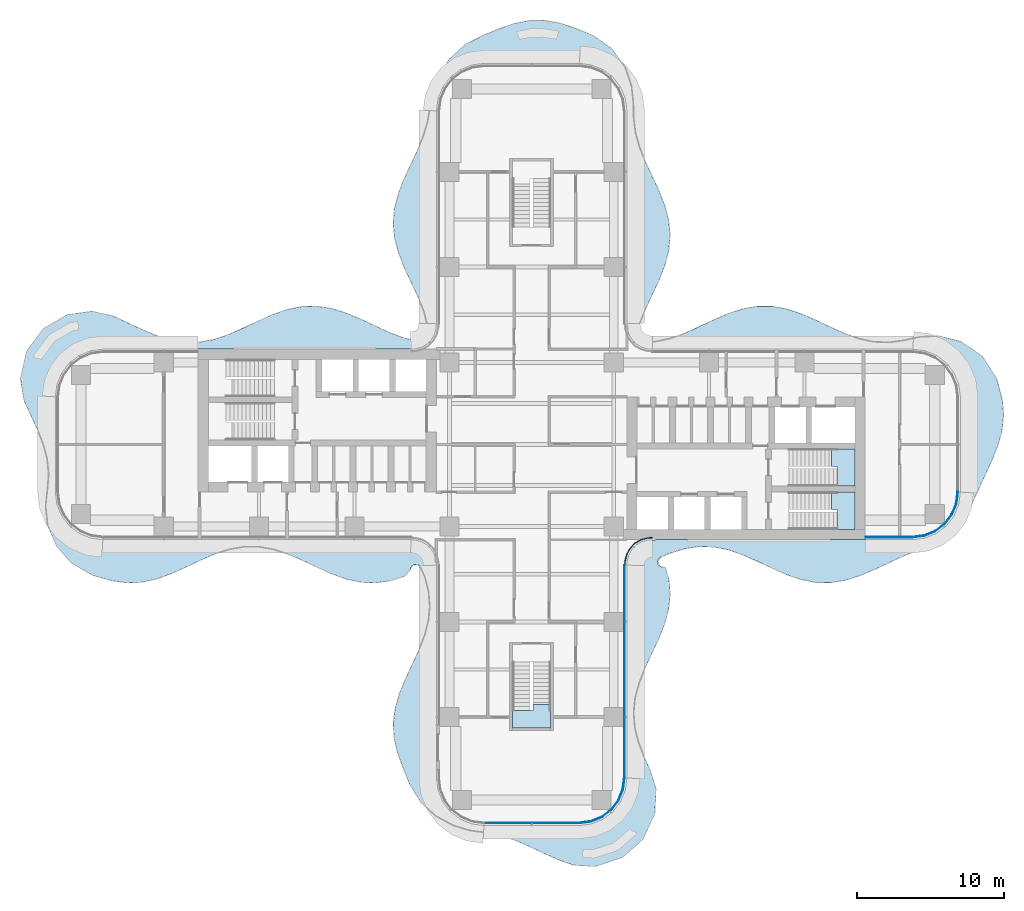
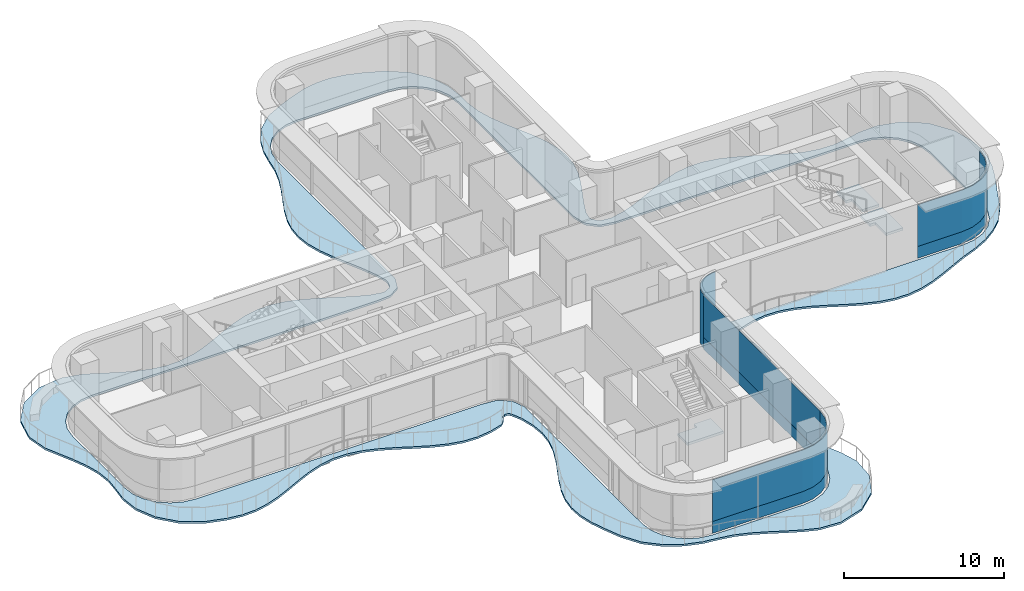
# One storey, part 14 of 21: 7 plates, 4 slabs, 7 elements without a shape of their own.
"""IFC4 building model written with IfcOpenShell, lengths in metres."""

from ifc_helpers import new_model, si_unit, direction, frame, origin, place, context, subcontext, project, spatial, polyline, outline, extrude, source, transform, mapped, material, layer, layer_set, type_object, element, aggregate, save


model = new_model("IFC4")

# Units and contexts
model_context = context("Model", 3, precision=1e-05, world=origin(), true_north=direction((0.0, 1.0)))
body_context = subcontext(model_context, "Body", "Model", "MODEL_VIEW")
ifc_project = project(units=[si_unit("LENGTHUNIT", "METRE"), si_unit("AREAUNIT", "SQUARE_METRE"), si_unit("VOLUMEUNIT", "CUBIC_METRE"), si_unit("PLANEANGLEUNIT", "RADIAN"), si_unit("MASSUNIT", "GRAM", prefix="KILO")], contexts=[model_context])

# Site, building, storey
site_placement = place(None, origin())
site = spatial("IfcSite", under=ifc_project, at=site_placement, CompositionType="ELEMENT")
building_placement = place(site_placement, origin())
building = spatial("IfcBuilding", under=site, at=building_placement, Name="Trellis Farm Tower", CompositionType="ELEMENT")
storey_placement = place(building_placement, frame((0.0, 0.0, 147.0)))
storey = spatial("IfcBuildingStorey", under=building, at=storey_placement, Name="L31", CompositionType="ELEMENT", Elevation=147.0)

# Slab
ifc_material_1 = material(Name="Concrete C40/50", Category="concrete")
ifc_layer_1 = layer(ifc_material_1, 0.14990234375)
ifc_layer_set_1 = layer_set([ifc_layer_1], Name="Balcony slab 150")
slab_type_1 = type_object("IfcSlabType", Name="Balcony slab 150", PredefinedType="FLOOR", material=ifc_layer_set_1)
slab_1_placement = place(storey_placement, frame((0.0, 0.0, -0.14990234375)))
element("IfcSlab", 1, at=slab_1_placement, inside=storey, type_object=slab_type_1, Name="Balcony slab", PredefinedType="FLOOR", context=body_context, shape_type="SweptSolid", body=[
    extrude(outline(polyline([(-7.864501953125, -8.17578125), (-7.994873046875, -8.183837890625), (-8.0283203125, -8.1943359375), (-8.14013671875, -8.26171875), (-8.165283203125, -8.286376953125), (-8.23779296875, -8.405517578125), (-8.245361328125, -8.421875), (-8.2861328125, -8.550537109375), (-8.29931640625, -8.580322265625), (-8.3203125, -8.616455078125), (-8.33935546875, -8.642578125), (-8.635498046875, -8.96630859375), (-8.66650390625, -8.9921875), (-8.7099609375, -9.019287109375), (-8.7470703125, -9.035888671875), (-9.65478515625, -9.303466796875), (-9.6767578125, -9.30810546875), (-10.646484375, -9.4404296875), (-10.673095703125, -9.441650390625), (-11.64453125, -9.400390625), (-11.669921875, -9.397216796875), (-12.648193359375, -9.185791015625), (-12.6669921875, -9.180419921875), (-13.654052734375, -8.82666015625), (-13.664794921875, -8.822265625), (-14.65966796875, -8.375), (-14.66259765625, -8.373779296875), (-15.6640625, -7.898193359375), (-15.66650390625, -7.897216796875), (-16.638427734375, -7.4775390625), (-16.644775390625, -7.47509765625), (-17.62451171875, -7.15380859375), (-17.634521484375, -7.1513671875), (-18.61328125, -6.977294921875), (-18.626220703125, -6.976318359375), (-19.609619140625, -6.974365234375), (-19.622802734375, -6.9755859375), (-20.6142578125, -7.14892578125), (-20.62451171875, -7.151611328125), (-21.62255859375, -7.478759765625), (-21.62890625, -7.481201171875), (-22.631103515625, -7.9150390625), (-22.63330078125, -7.916259765625), (-23.634765625, -8.39208984375), (-23.637939453125, -8.393310546875), (-24.632568359375, -8.838134765625), (-24.643310546875, -8.842529296875), (-25.60791015625, -9.185302734375), (-25.626953125, -9.19091796875), (-26.597900390625, -9.3984375), (-26.623291015625, -9.401611328125), (-27.593017578125, -9.44140625), (-27.61962890625, -9.43994140625), (-28.59716796875, -9.304931640625), (-28.6171875, -9.30078125), (-29.939697265625, -8.927978515625), (-29.97412109375, -8.91357421875), (-31.363037109375, -8.1123046875), (-31.400634765625, -8.081298828125), (-32.412841796875, -6.93359375), (-32.438232421875, -6.893310546875), (-33.01611328125, -5.54638671875), (-33.027587890625, -5.502197265625), (-33.160888671875, -4.18017578125), (-33.16064453125, -4.148193359375), (-33.029541015625, -2.989990234375), (-33.029296875, -2.987548828125), (-32.953369140625, -2.03173828125), (-32.95361328125, -2.0185546875), (-33.05712890625, -0.975830078125), (-33.059326171875, -0.9638671875), (-33.322509765625, 0.0146484375), (-33.3251953125, 0.022705078125), (-33.704345703125, 0.985107421875), (-33.7060546875, 0.989013671875), (-34.62158203125, 2.97021484375), (-34.63330078125, 3.0078125), (-34.882080078125, 4.470703125), (-34.88427734375, 4.50048828125), (-34.883056640625, 4.5380859375), (-34.87939453125, 4.567138671875), (-34.47802734375, 6.307373046875), (-34.468017578125, 6.3369140625), (-34.450927734375, 6.373291015625), (-34.43505859375, 6.39990234375), (-33.33837890625, 7.867431640625), (-33.318115234375, 7.8896484375), (-33.2890625, 7.91552734375), (-33.2646484375, 7.93310546875), (-31.71435546875, 8.8359375), (-31.687255859375, 8.848388671875), (-31.65087890625, 8.860595703125), (-31.622314453125, 8.867431640625), (-30.0029296875, 9.08203125), (-29.976806640625, 9.0830078125), (-29.94287109375, 9.081787109375), (-29.91650390625, 9.078125), (-28.617919921875, 8.7861328125), (-28.587646484375, 8.77587890625), (-26.632568359375, 7.8681640625), (-26.63037109375, 7.8671875), (-25.615478515625, 7.4365234375), (-25.608642578125, 7.43408203125), (-24.660888671875, 7.134521484375), (-24.650390625, 7.132080078125), (-23.671630859375, 6.970703125), (-23.658447265625, 6.9697265625), (-22.6748046875, 6.981689453125), (-22.66162109375, 6.98291015625), (-21.623046875, 7.181640625), (-21.61279296875, 7.184326171875), (-20.633056640625, 7.52001953125), (-20.627197265625, 7.5224609375), (-19.652587890625, 7.951416015625), (-19.650634765625, 7.952392578125), (-18.654052734375, 8.42626953125), (-18.650390625, 8.427978515625), (-17.665771484375, 8.864013671875), (-17.654052734375, 8.86865234375), (-16.67724609375, 9.207275390625), (-16.65771484375, 9.212646484375), (-15.68701171875, 9.407958984375), (-15.66162109375, 9.410888671875), (-14.691650390625, 9.43701171875), (-14.6650390625, 9.435546875), (-13.689697265625, 9.28759765625), (-13.66796875, 9.28271484375), (-12.684326171875, 8.97900390625), (-12.67041015625, 8.973876953125), (-11.67138671875, 8.552490234375), (-11.666259765625, 8.55029296875), (-9.6923828125, 7.63232421875), (-9.68701171875, 7.630126953125), (-8.71240234375, 7.26513671875), (-8.70166015625, 7.26220703125), (-7.976806640625, 7.109619140625), (-7.951171875, 7.10888671875), (-7.74658203125, 7.136962890625), (-7.722900390625, 7.144287109375), (-7.381103515625, 7.320068359375), (-7.3671875, 7.3291015625), (-7.2685546875, 7.411376953125), (-7.248779296875, 7.43701171875), (-7.19482421875, 7.5537109375), (-7.189697265625, 7.569091796875), (-7.094482421875, 8.00830078125), (-7.093017578125, 8.026611328125), (-7.098388671875, 8.1796875), (-7.101318359375, 8.197998046875), (-7.33642578125, 9.009521484375), (-7.339111328125, 9.0166015625), (-7.746337890625, 10.03369140625), (-7.747802734375, 10.037353515625), (-8.674072265625, 12.02099609375), (-8.677490234375, 12.029296875), (-9.0703125, 13.018798828125), (-9.07568359375, 13.03515625), (-9.340576171875, 14.016357421875), (-9.344970703125, 14.039794921875), (-9.446533203125, 15.01318359375), (-9.447021484375, 15.040283203125), (-9.373779296875, 16.009765625), (-9.3701171875, 16.033935546875), (-9.138916015625, 16.9853515625), (-9.133544921875, 17.0029296875), (-8.757080078125, 18.001708984375), (-8.752685546875, 18.01220703125), (-7.83349609375, 19.98681640625), (-7.832275390625, 19.98974609375), (-7.40771484375, 21.005615234375), (-7.4052734375, 21.0126953125), (-7.1044921875, 22.00634765625), (-7.102294921875, 22.01513671875), (-6.925537109375, 23.0380859375), (-6.924560546875, 23.043212890625), (-6.70068359375, 24.110595703125), (-6.694580078125, 24.1318359375), (-6.30419921875, 25.18994140625), (-6.290771484375, 25.2177734375), (-5.619140625, 26.290283203125), (-5.593017578125, 26.322021484375), (-4.49951171875, 27.314697265625), (-4.46484375, 27.33837890625), (-3.192138671875, 27.962646484375), (-3.182861328125, 27.966796875), (-2.133056640625, 28.396240234375), (-2.1240234375, 28.399658203125), (-1.14794921875, 28.728271484375), (-1.1279296875, 28.7333984375), (-0.157470703125, 28.91650390625), (-0.131591796875, 28.919189453125), (0.83837890625, 28.931884765625), (0.86474609375, 28.929931640625), (1.8408203125, 28.769287109375), (1.862060546875, 28.76416015625), (2.861328125, 28.4443359375), (2.87255859375, 28.440185546875), (4.167724609375, 27.908447265625), (4.197265625, 27.892333984375), (5.462646484375, 26.9990234375), (5.498046875, 26.964111328125), (6.36962890625, 25.75146484375), (6.389892578125, 25.7119140625), (6.80224609375, 24.4892578125), (6.80908203125, 24.4580078125), (6.935546875, 23.322265625), (6.936279296875, 23.30859375), (6.95654296875, 22.2333984375), (6.95703125, 22.22509765625), (7.088134765625, 21.231201171875), (7.09033203125, 21.22021484375), (7.37548828125, 20.2412109375), (7.378173828125, 20.23388671875), (7.780517578125, 19.25146484375), (7.78173828125, 19.248291015625), (8.70361328125, 17.2734375), (8.707275390625, 17.2646484375), (9.08984375, 16.284912109375), (9.09521484375, 16.268310546875), (9.35009765625, 15.2958984375), (9.354248046875, 15.272216796875), (9.447265625, 14.302978515625), (9.447265625, 14.275634765625), (9.361083984375, 13.275146484375), (9.356689453125, 13.2509765625), (9.10791015625, 12.27880859375), (9.1025390625, 12.261962890625), (8.72412109375, 11.28271484375), (8.72021484375, 11.273193359375), (7.798095703125, 9.296875), (7.796875, 9.2939453125), (7.37890625, 8.288818359375), (7.37451171875, 8.2744140625), (7.279296875, 7.781982421875), (7.27783203125, 7.76708984375), (7.279296875, 7.648681640625), (7.285888671875, 7.619384765625), (7.333984375, 7.51123046875), (7.34130859375, 7.498046875), (7.541015625, 7.2197265625), (7.551513671875, 7.2080078125), (7.641845703125, 7.12548828125), (7.668701171875, 7.110107421875), (7.784912109375, 7.07177734375), (7.80029296875, 7.068603515625), (8.365234375, 7.007568359375), (8.377197265625, 7.00732421875), (8.477783203125, 7.0126953125), (8.489990234375, 7.014404296875), (9.435546875, 7.225341796875), (9.44482421875, 7.227783203125), (10.425537109375, 7.582275390625), (10.430908203125, 7.58447265625), (11.415283203125, 8.027587890625), (11.416748046875, 8.028076171875), (12.409912109375, 8.5), (12.414794921875, 8.502197265625), (13.392578125, 8.92431640625), (13.405517578125, 8.92919921875), (14.381103515625, 9.248291015625), (14.40185546875, 9.253662109375), (15.371826171875, 9.424072265625), (15.398193359375, 9.42626953125), (16.398681640625, 9.4228515625), (16.42529296875, 9.42041015625), (17.395263671875, 9.24365234375), (17.41552734375, 9.238525390625), (18.376953125, 8.919921875), (18.389404296875, 8.9150390625), (19.382568359375, 8.484130859375), (19.38720703125, 8.482177734375), (20.38720703125, 8.0068359375), (20.388916015625, 8.006103515625), (21.3916015625, 7.558349609375), (21.397216796875, 7.55615234375), (22.351806640625, 7.216796875), (22.361083984375, 7.214111328125), (23.33935546875, 7.00341796875), (23.352294921875, 7.001708984375), (24.396240234375, 6.962158203125), (24.40966796875, 6.962890625), (25.37890625, 7.1005859375), (25.384521484375, 7.1015625), (26.482177734375, 7.33984375), (26.507080078125, 7.34326171875), (27.76953125, 7.40234375), (27.8134765625, 7.39794921875), (29.24951171875, 7.033935546875), (29.296630859375, 7.012939453125), (30.67333984375, 6.084716796875), (30.6962890625, 6.065673828125), (30.722412109375, 6.039306640625), (30.740966796875, 6.01611328125), (31.71044921875, 4.528564453125), (31.729736328125, 4.485107421875), (32.1123046875, 3.044189453125), (32.116943359375, 3.017822265625), (32.197509765625, 2.022705078125), (32.197021484375, 1.995849609375), (32.09716796875, 0.995361328125), (32.0927734375, 0.9716796875), (31.83251953125, -0.001220703125), (31.826904296875, -0.017333984375), (31.440185546875, -0.997802734375), (31.43701171875, -1.00537109375), (29.98681640625, -4.163330078125), (29.974365234375, -4.185546875), (29.279052734375, -5.19921875), (29.259033203125, -5.222900390625), (28.441162109375, -6.006103515625), (28.423583984375, -6.0205078125), (27.50927734375, -6.664794921875), (27.489501953125, -6.676513671875), (26.47265625, -7.18115234375), (26.460205078125, -7.1865234375), (25.36181640625, -7.613037109375), (25.357421875, -7.614990234375), (23.38037109375, -8.53271484375), (23.3759765625, -8.534912109375), (22.392578125, -8.95361328125), (22.379150390625, -8.95849609375), (21.404296875, -9.267578125), (21.382568359375, -9.272705078125), (20.382080078125, -9.432861328125), (20.35546875, -9.4345703125), (19.385498046875, -9.415283203125), (19.360107421875, -9.412353515625), (18.389404296875, -9.22314453125), (18.36962890625, -9.218017578125), (17.39306640625, -8.8837890625), (17.381103515625, -8.87939453125), (16.4013671875, -8.447998046875), (16.3974609375, -8.4462890625), (15.396728515625, -7.970458984375), (15.394775390625, -7.969482421875), (14.392333984375, -7.527099609375), (14.386474609375, -7.524658203125), (13.43359375, -7.19482421875), (13.424072265625, -7.1923828125), (12.445556640625, -6.99365234375), (12.432861328125, -6.9921875), (11.450439453125, -6.963134765625), (11.437255859375, -6.9638671875), (10.447265625, -7.111083984375), (10.43603515625, -7.11376953125), (9.406005859375, -7.431884765625), (9.3984375, -7.4345703125), (8.809814453125, -7.687255859375), (8.79248046875, -7.69775390625), (8.67041015625, -7.795654296875), (8.6474609375, -7.82763671875), (8.596923828125, -7.965087890625), (8.59375, -8.004150390625), (8.62109375, -8.14794921875), (8.638427734375, -8.18310546875), (8.736083984375, -8.292236328125), (8.769287109375, -8.313720703125), (8.918701171875, -8.35986328125), (8.938720703125, -8.363037109375), (9.032470703125, -8.36572265625), (9.12158203125, -8.3984375), (9.17333984375, -8.478271484375), (9.375, -9.260009765625), (9.37939453125, -9.287109375), (9.4462890625, -10.2568359375), (9.44580078125, -10.283935546875), (9.33740234375, -11.25732421875), (9.3330078125, -11.28076171875), (9.05615234375, -12.28076171875), (9.05078125, -12.296630859375), (8.656494140625, -13.27734375), (8.6533203125, -13.284912109375), (7.731201171875, -15.25927734375), (7.7294921875, -15.26318359375), (7.338134765625, -16.244873046875), (7.33544921875, -16.253173828125), (7.056396484375, -17.285888671875), (7.05419921875, -17.2978515625), (6.953857421875, -18.285888671875), (6.95361328125, -18.29931640625), (7.030029296875, -19.280029296875), (7.031982421875, -19.2919921875), (7.259521484375, -20.2294921875), (7.26220703125, -20.238037109375), (7.63720703125, -21.238037109375), (7.63916015625, -21.24267578125), (8.098388671875, -22.25048828125), (8.10546875, -22.268798828125), (8.475341796875, -23.469482421875), (8.480712890625, -23.4951171875), (8.485107421875, -23.52880859375), (8.48583984375, -23.55517578125), (8.4033203125, -25.183837890625), (8.39892578125, -25.212646484375), (8.389892578125, -25.2490234375), (8.380126953125, -25.276611328125), (7.627197265625, -26.882568359375), (7.611328125, -26.908935546875), (7.587646484375, -26.940673828125), (7.566650390625, -26.96337890625), (6.194580078125, -28.16943359375), (6.16943359375, -28.1875), (6.134765625, -28.20703125), (6.1064453125, -28.21923828125), (4.3505859375, -28.77978515625), (4.3232421875, -28.785888671875), (4.287841796875, -28.790283203125), (4.25927734375, -28.791015625), (2.8583984375, -28.697021484375), (2.81884765625, -28.68896484375), (1.86328125, -28.35302734375), (1.85205078125, -28.348388671875), (0.866943359375, -27.909912109375), (0.863525390625, -27.908203125), (-0.1337890625, -27.43408203125), (-0.1357421875, -27.43310546875), (-1.109619140625, -27.00732421875), (-1.115478515625, -27.0048828125), (-2.0947265625, -26.67431640625), (-2.10498046875, -26.67138671875), (-3.12744140625, -26.479736328125), (-3.13134765625, -26.479248046875), (-4.206787109375, -26.33642578125), (-4.230712890625, -26.331298828125), (-5.33349609375, -25.997314453125), (-5.361083984375, -25.985595703125), (-6.497314453125, -25.3740234375), (-6.526123046875, -25.353759765625), (-7.5166015625, -24.468017578125), (-7.544189453125, -24.435302734375), (-8.31103515625, -23.197509765625), (-8.322509765625, -23.175048828125), (-8.80419921875, -21.99462890625), (-8.80615234375, -21.989501953125), (-9.162841796875, -21.01171875), (-9.168212890625, -20.993408203125), (-9.3876953125, -20.02197265625), (-9.391357421875, -19.997314453125), (-9.4443359375, -19.027587890625), (-9.443359375, -19.000732421875), (-9.322021484375, -18.026611328125), (-9.317138671875, -18.00390625), (-9.035400390625, -17.021484375), (-9.030029296875, -17.006103515625), (-8.622314453125, -16.007080078125), (-8.619384765625, -16.00048828125), (-7.689208984375, -14.00634765625), (-7.687255859375, -14.001708984375), (-7.2998046875, -13.001708984375), (-7.297119140625, -12.9931640625), (-7.042236328125, -11.997802734375), (-7.040283203125, -11.986328125), (-6.95361328125, -11.0615234375), (-6.95361328125, -11.048583984375), (-7.03369140625, -10.061279296875), (-7.03564453125, -10.04931640625), (-7.28125, -9.06689453125), (-7.285400390625, -9.05419921875), (-7.5869140625, -8.382080078125), (-7.596435546875, -8.3662109375), (-7.682861328125, -8.257080078125), (-7.710693359375, -8.2353515625), (-7.829833984375, -8.18212890625), (-7.864501953125, -8.17578125)]), holes=[polyline([(-7.642578125, -6.6201171875), (-6.938232421875, -7.076171875), (-6.903564453125, -7.107177734375), (-6.8671875, -7.151611328125), (-6.84375, -7.191650390625), (-6.529541015625, -7.9912109375), (-6.52197265625, -8.01708984375), (-6.51513671875, -8.0517578125), (-6.512451171875, -8.07861328125), (-6.50048828125, -8.98486328125), (-6.50048828125, -22.75), (-6.389892578125, -23.59130859375), (-6.065185546875, -24.375244140625), (-5.548583984375, -25.048583984375), (-4.875244140625, -25.565185546875), (-4.09130859375, -25.889892578125), (-3.25, -26.00048828125), (3.25, -26.00048828125), (4.09130859375, -25.889892578125), (4.875244140625, -25.565185546875), (5.548583984375, -25.048583984375), (6.065185546875, -24.375244140625), (6.389892578125, -23.59130859375), (6.50048828125, -22.75), (6.50048828125, -8.326416015625), (6.504150390625, -8.29638671875), (6.718017578125, -7.40869140625), (6.734375, -7.367919921875), (6.761474609375, -7.32177734375), (6.78857421875, -7.2880859375), (7.39697265625, -6.719970703125), (7.432373046875, -6.6953125), (7.48046875, -6.67138671875), (7.521728515625, -6.657958984375), (8.4248046875, -6.502197265625), (8.443115234375, -6.50048828125), (26.0, -6.50048828125), (26.84130859375, -6.389892578125), (27.625244140625, -6.065185546875), (28.298583984375, -5.548583984375), (28.815185546875, -4.875244140625), (29.139892578125, -4.09130859375), (29.25048828125, -3.25), (29.25048828125, 3.25), (29.139892578125, 4.09130859375), (28.815185546875, 4.875244140625), (28.298583984375, 5.548583984375), (27.625244140625, 6.065185546875), (26.84130859375, 6.389892578125), (26.0, 6.50048828125), (8.443115234375, 6.50048828125), (8.4248046875, 6.502197265625), (7.521728515625, 6.657958984375), (7.48046875, 6.67138671875), (7.432373046875, 6.6953125), (7.39697265625, 6.719970703125), (6.78857421875, 7.2880859375), (6.761474609375, 7.32177734375), (6.734375, 7.367919921875), (6.718017578125, 7.40869140625), (6.504150390625, 8.29638671875), (6.50048828125, 8.326416015625), (6.50048828125, 22.75), (6.389892578125, 23.59130859375), (6.065185546875, 24.375244140625), (5.548583984375, 25.048583984375), (4.875244140625, 25.565185546875), (4.09130859375, 25.889892578125), (3.25, 26.00048828125), (-3.25, 26.00048828125), (-4.09130859375, 25.889892578125), (-4.875244140625, 25.565185546875), (-5.548583984375, 25.048583984375), (-6.065185546875, 24.375244140625), (-6.389892578125, 23.59130859375), (-6.50048828125, 22.75), (-6.50048828125, 8.98486328125), (-6.512451171875, 8.07861328125), (-6.51513671875, 8.0517578125), (-6.52197265625, 8.01708984375), (-6.529541015625, 7.9912109375), (-6.84375, 7.191650390625), (-6.8671875, 7.151611328125), (-6.903564453125, 7.107177734375), (-6.938232421875, 7.076171875), (-7.642578125, 6.6201171875), (-7.67529296875, 6.604248046875), (-7.718994140625, 6.589111328125), (-7.7548828125, 6.58154296875), (-8.682373046875, 6.50048828125), (-29.25, 6.50048828125), (-30.09130859375, 6.389892578125), (-30.875244140625, 6.065185546875), (-31.548583984375, 5.548583984375), (-32.065185546875, 4.875244140625), (-32.389892578125, 4.09130859375), (-32.50048828125, 3.25), (-32.50048828125, -3.25), (-32.389892578125, -4.09130859375), (-32.065185546875, -4.875244140625), (-31.548583984375, -5.548583984375), (-30.875244140625, -6.065185546875), (-30.09130859375, -6.389892578125), (-29.25, -6.50048828125), (-8.682373046875, -6.50048828125), (-7.7548828125, -6.58154296875), (-7.718994140625, -6.589111328125), (-7.67529296875, -6.604248046875), (-7.642578125, -6.6201171875)])]), origin(), (0.0, 0.0, 1.0), 0.14990234375),
])

# Stair, slab
ifc_material_2 = material(Name="Concrete C50/60", Category="concrete")
stair_type = type_object("IfcStairType", Name="CORE EXIT STAIR 26 RISERS 173 MM", PredefinedType="HALF_TURN_STAIR", material=ifc_material_2)
placement_1 = place(storey_placement, origin())
stair_1 = element("IfcStair", 2, at=placement_1, inside=storey, type_object=stair_type, Name="Exit stair S", PredefinedType="HALF_TURN_STAIR")
ifc_layer_2 = layer(ifc_material_2, 0.18994140625)
ifc_layer_set_2 = layer_set([ifc_layer_2], Name="CORE STAIR LANDING 190 CONCRETE C50/60")
slab_type_2 = type_object("IfcSlabType", Name="CORE STAIR LANDING 190 CONCRETE C50/60", PredefinedType="LANDING", material=ifc_layer_set_2)
shared_shape_1 = source(origin(), body_context, "Body", "SweptSolid", [
    extrude(outline(polyline([(1.300048828125, -19.35009765625), (-1.300048828125, -19.35009765625), (-1.300048828125, -18.14990234375), (-1.300048828125, -18.139892578125), (-0.10009765625, -18.139892578125), (-0.10009765625, -18.14990234375), (0.10009765625, -18.14990234375), (0.10009765625, -17.753173828125), (1.300048828125, -17.753173828125), (1.300048828125, -18.14990234375), (1.300048828125, -19.35009765625)])), origin(), (0.0, 0.0, 1.0), 0.18994140625),
])
placement_2 = place(storey_placement, frame((0.0, 0.0, 2.06005859375)))
slab_2 = element("IfcSlab", 3, at=placement_2, type_object=slab_type_2, Name="STS landing 1", PredefinedType="LANDING", context=body_context, shape_type="MappedRepresentation", body=[
    mapped(shared_shape_1, transform((0.0, 0.0, 0.0))),
])
aggregate(stair_1, [slab_2])

stair_2 = element("IfcStair", 4, at=placement_1, inside=storey, type_object=stair_type, Name="Exit stair E1", PredefinedType="HALF_TURN_STAIR")
shared_shape_2 = source(origin(), body_context, "Body", "SweptSolid", [
    extrude(outline(polyline([(20.840087890625, -5.800048828125), (20.840087890625, -4.60009765625), (20.85009765625, -4.60009765625), (20.85009765625, -4.449951171875), (20.453125, -4.449951171875), (20.453125, -3.25), (20.85009765625, -3.25), (22.050048828125, -3.25), (22.050048828125, -5.800048828125), (20.85009765625, -5.800048828125), (20.840087890625, -5.800048828125)])), origin(), (0.0, 0.0, 1.0), 0.18994140625),
])
slab_3 = element("IfcSlab", 5, at=placement_2, type_object=slab_type_2, Name="STE1 landing 1", PredefinedType="LANDING", context=body_context, shape_type="MappedRepresentation", body=[
    mapped(shared_shape_2, transform((0.0, 0.0, 0.0))),
])
aggregate(stair_2, [slab_3])

stair_3 = element("IfcStair", 6, at=placement_1, inside=storey, type_object=stair_type, Name="Exit stair E2", PredefinedType="HALF_TURN_STAIR")
shared_shape_3 = source(origin(), body_context, "Body", "SweptSolid", [
    extrude(outline(polyline([(20.840087890625, -2.85009765625), (20.840087890625, -1.64990234375), (20.85009765625, -1.64990234375), (20.85009765625, -1.5), (20.453125, -1.5), (20.453125, -0.300048828125), (20.85009765625, -0.300048828125), (22.050048828125, -0.300048828125), (22.050048828125, -2.85009765625), (20.85009765625, -2.85009765625), (20.840087890625, -2.85009765625)])), origin(), (0.0, 0.0, 1.0), 0.18994140625),
])
slab_4 = element("IfcSlab", 7, at=placement_2, type_object=slab_type_2, Name="STE2 landing 1", PredefinedType="LANDING", context=body_context, shape_type="MappedRepresentation", body=[
    mapped(shared_shape_3, transform((0.0, 0.0, 0.0))),
])
aggregate(stair_3, [slab_4])

# Curtain wall, plate
ifc_material_3 = material(Name="Aluminium and glass curtain wall", Category="aluminium")
ifc_layer_3 = layer(ifc_material_3, 0.166015625)
ifc_layer_set_3 = layer_set([ifc_layer_3], Name="WINTER GARDEN CURTAIN WALL CW3")
curtain_wall_type_1 = type_object("IfcCurtainWallType", Name="WINTER GARDEN CURTAIN WALL CW3", PredefinedType="NOTDEFINED", material=ifc_layer_set_3)
curtain_wall_1 = element("IfcCurtainWall", 8, at=placement_1, inside=storey, type_object=curtain_wall_type_1, Name="CW3 002", PredefinedType="NOTDEFINED")
ifc_material_4 = material(Name="Clear insulated glass", Category="glass")
ifc_layer_4 = layer(ifc_material_4, 0.0458984375)
ifc_layer_set_4 = layer_set([ifc_layer_4], Name="CW3 GLASS PANEL 46")
plate_type_1 = type_object("IfcPlateType", Name="CW3 GLASS PANEL 46", PredefinedType="CURTAIN_PANEL", material=ifc_layer_set_4)
shared_shape_4 = source(origin(), body_context, "Body", "SweptSolid", [
    extrude(outline(polyline([(6.3798828125, -8.2275390625), (6.394287109375, -8.0078125), (6.40966796875, -7.89208984375), (6.52490234375, -7.462158203125), (6.7509765625, -7.070556640625), (7.070556640625, -6.7509765625), (7.462158203125, -6.52490234375), (7.89208984375, -6.40966796875), (8.0078125, -6.394287109375), (8.2275390625, -6.3798828125), (8.22607421875, -6.333984375), (8.003173828125, -6.3486328125), (7.883056640625, -6.364501953125), (7.4443359375, -6.48193359375), (7.04248046875, -6.714111328125), (6.714111328125, -7.04248046875), (6.48193359375, -7.4443359375), (6.364501953125, -7.883056640625), (6.3486328125, -8.003173828125), (6.333984375, -8.22607421875), (6.3798828125, -8.2275390625)])), origin(), (0.0, 0.0, 1.0), 4.10009765625),
])
plate_1 = element("IfcPlate", 9, at=placement_1, type_object=plate_type_1, Name="PL3 002", PredefinedType="CURTAIN_PANEL", context=body_context, shape_type="MappedRepresentation", body=[
    mapped(shared_shape_4, transform((0.0, 0.0, 0.0))),
])
aggregate(curtain_wall_1, [plate_1])

# Curtain wall, plates
ifc_layer_5 = layer(ifc_material_3, 0.18994140625)
ifc_layer_set_5 = layer_set([ifc_layer_5], Name="RIBBON CURTAIN WALL CW1")
curtain_wall_type_2 = type_object("IfcCurtainWallType", Name="RIBBON CURTAIN WALL CW1", PredefinedType="NOTDEFINED", material=ifc_layer_set_5)
curtain_wall_2 = element("IfcCurtainWall", 10, at=placement_1, inside=storey, type_object=curtain_wall_type_2, Name="CW1 006", PredefinedType="NOTDEFINED")
ifc_layer_6 = layer(ifc_material_4, 0.0400390625)
ifc_layer_set_6 = layer_set([ifc_layer_6], Name="CW1 GLASS PANEL 40")
plate_type_2 = type_object("IfcPlateType", Name="CW1 GLASS PANEL 40", PredefinedType="CURTAIN_PANEL", material=ifc_layer_set_6)
shared_shape_5 = source(origin(), body_context, "Body", "SweptSolid", [
    extrude(outline(polyline([(22.780029296875, -6.35009765625), (25.990234375, -6.35009765625), (26.802001953125, -6.2431640625), (27.54931640625, -5.93359375), (28.191162109375, -5.441162109375), (28.68359375, -4.79931640625), (28.9931640625, -4.052001953125), (29.10009765625, -3.240234375), (29.06005859375, -3.237548828125), (28.9541015625, -4.04150390625), (28.648681640625, -4.779296875), (28.16259765625, -5.41259765625), (27.529296875, -5.898681640625), (26.79150390625, -6.2041015625), (25.987548828125, -6.31005859375), (22.780029296875, -6.31005859375), (22.780029296875, -6.35009765625)])), origin(), (0.0, 0.0, 1.0), 3.170166015625),
])
placement_3 = place(storey_placement, frame((0.0, 0.0, 0.89990234375)))
plate_2 = element("IfcPlate", 11, at=placement_3, type_object=plate_type_2, Name="PL1 006", PredefinedType="CURTAIN_PANEL", context=body_context, shape_type="MappedRepresentation", body=[
    mapped(shared_shape_5, transform((0.0, 0.0, 0.0))),
])
ifc_material_5 = material(Name="Sandstone faced insulated panel", Category="masonry")
ifc_layer_7 = layer(ifc_material_5, 0.050048828125)
ifc_layer_set_7 = layer_set([ifc_layer_7], Name="CW1 STONE SPANDREL PANEL 50")
plate_type_3 = type_object("IfcPlateType", Name="CW1 STONE SPANDREL PANEL 50", PredefinedType="CURTAIN_PANEL", material=ifc_layer_set_7)
shared_shape_6 = source(origin(), body_context, "Body", "SweptSolid", [
    extrude(outline(polyline([(22.780029296875, -6.35009765625), (25.990234375, -6.35009765625), (26.802001953125, -6.2431640625), (27.54931640625, -5.93359375), (28.191162109375, -5.441162109375), (28.68359375, -4.79931640625), (28.9931640625, -4.052001953125), (29.10009765625, -3.240234375), (29.050048828125, -3.23681640625), (28.9443359375, -4.0390625), (28.639892578125, -4.774169921875), (28.155517578125, -5.405517578125), (27.524169921875, -5.889892578125), (26.7890625, -6.1943359375), (25.98681640625, -6.300048828125), (22.780029296875, -6.300048828125), (22.780029296875, -6.35009765625)])), origin(), (0.0, 0.0, 1.0), 0.89990234375),
])
plate_3 = element("IfcPlate", 12, at=placement_1, type_object=plate_type_3, Name="PS1 006", PredefinedType="CURTAIN_PANEL", context=body_context, shape_type="MappedRepresentation", body=[
    mapped(shared_shape_6, transform((0.0, 0.0, 0.0))),
])
aggregate(curtain_wall_2, [plate_2, plate_3])

curtain_wall_3 = element("IfcCurtainWall", 13, at=placement_1, inside=storey, type_object=curtain_wall_type_2, Name="CW1 005", PredefinedType="NOTDEFINED")
shared_shape_7 = source(origin(), body_context, "Body", "SweptSolid", [
    extrude(outline(polyline([(6.35009765625, -22.740234375), (6.35009765625, -8.2265625), (6.31005859375, -8.22509765625), (6.31005859375, -22.737548828125), (6.35009765625, -22.740234375)])), origin(), (0.0, 0.0, 1.0), 3.170166015625),
])
plate_4 = element("IfcPlate", 14, at=placement_3, type_object=plate_type_2, Name="PL1 005", PredefinedType="CURTAIN_PANEL", context=body_context, shape_type="MappedRepresentation", body=[
    mapped(shared_shape_7, transform((0.0, 0.0, 0.0))),
])
shared_shape_8 = source(origin(), body_context, "Body", "SweptSolid", [
    extrude(outline(polyline([(6.35009765625, -22.740234375), (6.35009765625, -8.2265625), (6.300048828125, -8.224853515625), (6.300048828125, -22.73681640625), (6.35009765625, -22.740234375)])), origin(), (0.0, 0.0, 1.0), 0.89990234375),
])
plate_5 = element("IfcPlate", 15, at=placement_1, type_object=plate_type_3, Name="PS1 005", PredefinedType="CURTAIN_PANEL", context=body_context, shape_type="MappedRepresentation", body=[
    mapped(shared_shape_8, transform((0.0, 0.0, 0.0))),
])
aggregate(curtain_wall_3, [plate_4, plate_5])

curtain_wall_4 = element("IfcCurtainWall", 16, at=placement_1, inside=storey, type_object=curtain_wall_type_2, Name="CW1 004", PredefinedType="NOTDEFINED")
shared_shape_9 = source(origin(), body_context, "Body", "SweptSolid", [
    extrude(outline(polyline([(-3.240234375, -25.85009765625), (3.240234375, -25.85009765625), (4.052001953125, -25.7431640625), (4.79931640625, -25.43359375), (5.441162109375, -24.941162109375), (5.93359375, -24.29931640625), (6.2431640625, -23.552001953125), (6.35009765625, -22.740234375), (6.31005859375, -22.737548828125), (6.2041015625, -23.54150390625), (5.898681640625, -24.279296875), (5.41259765625, -24.91259765625), (4.779296875, -25.398681640625), (4.04150390625, -25.7041015625), (3.237548828125, -25.81005859375), (-3.237548828125, -25.81005859375), (-3.240234375, -25.85009765625)])), origin(), (0.0, 0.0, 1.0), 3.170166015625),
])
plate_6 = element("IfcPlate", 17, at=placement_3, type_object=plate_type_2, Name="PL1 004", PredefinedType="CURTAIN_PANEL", context=body_context, shape_type="MappedRepresentation", body=[
    mapped(shared_shape_9, transform((0.0, 0.0, 0.0))),
])
shared_shape_10 = source(origin(), body_context, "Body", "SweptSolid", [
    extrude(outline(polyline([(-3.240234375, -25.85009765625), (3.240234375, -25.85009765625), (4.052001953125, -25.7431640625), (4.79931640625, -25.43359375), (5.441162109375, -24.941162109375), (5.93359375, -24.29931640625), (6.2431640625, -23.552001953125), (6.35009765625, -22.740234375), (6.300048828125, -22.73681640625), (6.1943359375, -23.5390625), (5.889892578125, -24.274169921875), (5.405517578125, -24.905517578125), (4.774169921875, -25.389892578125), (4.0390625, -25.6943359375), (3.23681640625, -25.800048828125), (-3.23681640625, -25.800048828125), (-3.240234375, -25.85009765625)])), origin(), (0.0, 0.0, 1.0), 0.89990234375),
])
plate_7 = element("IfcPlate", 18, at=placement_1, type_object=plate_type_3, Name="PS1 004", PredefinedType="CURTAIN_PANEL", context=body_context, shape_type="MappedRepresentation", body=[
    mapped(shared_shape_10, transform((0.0, 0.0, 0.0))),
])
aggregate(curtain_wall_4, [plate_6, plate_7])

save(model, "model.ifc")
